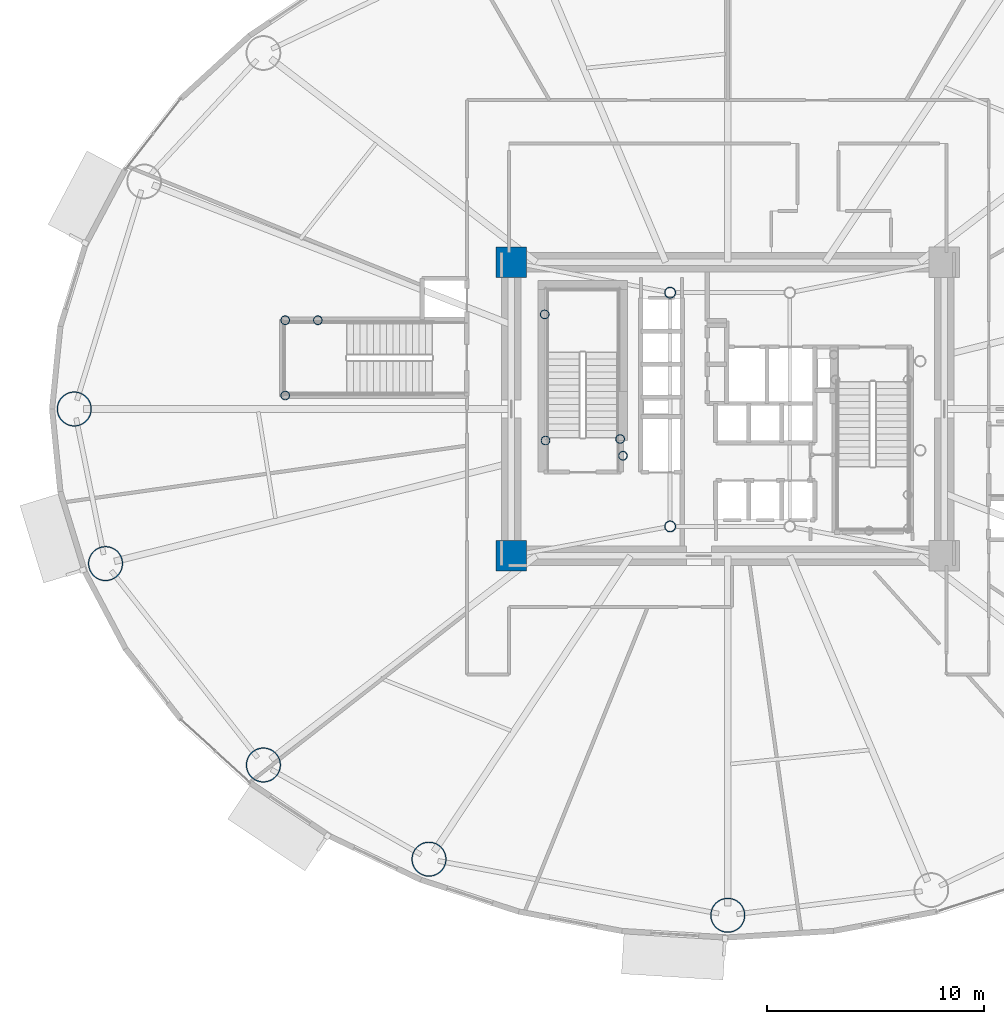
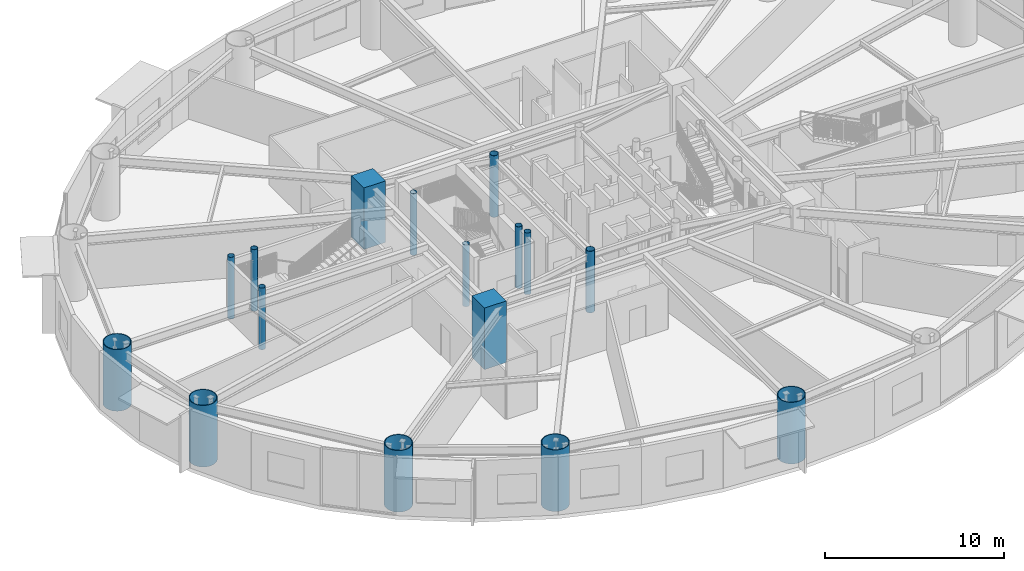
# One storey, part 1 of 29: 16 columns.
"""IFC4 building model written with IfcOpenShell, lengths in metres."""

import ifcopenshell
import ifcopenshell.guid

model = None  # the IFC model being written
_history = None  # IfcOwnerHistory: only IFC2X3 demands one
_inside = {}  # id of a spatial element -> (the spatial element, [elements in it])
_under = {}  # id of a project, library or spatial element -> (it, [spatial elements below it])
_declared = {}  # id of a project -> (the project, [libraries it declares])
_typed = {}  # id of a type object -> (the type object, [elements of that type])
_made_of = {}  # id of a material, layer set ... -> (it, [elements and type objects made of it])


def new_model(schema):
    """Start an empty IFC model of exactly this schema.

    Asked for "IFC4X3", IfcOpenShell would pick the latest addendum, in which some entities
    have other attributes; the version numbers below select the first issue.
    IFC2X3 requires an IfcOwnerHistory on every rooted entity: one is made here for all.
    """
    global model, _history
    if schema == "IFC4X3":
        model = ifcopenshell.file(schema_version=(4, 3, 0, 0))
    else:
        model = ifcopenshell.file(schema=schema)
    _inside.clear()
    _under.clear()
    _declared.clear()
    _typed.clear()
    _made_of.clear()
    _history = None
    if model.schema == "IFC2X3":
        org = make("IfcOrganization", Name="unknown")
        user = make(
            "IfcPersonAndOrganization",
            ThePerson=make("IfcPerson", FamilyName="unknown"),
            TheOrganization=org,
        )
        app = make(
            "IfcApplication",
            ApplicationDeveloper=org,
            Version="unknown",
            ApplicationFullName="unknown",
            ApplicationIdentifier="unknown",
        )
        _history = make(
            "IfcOwnerHistory",
            OwningUser=user,
            OwningApplication=app,
            ChangeAction="ADDED",
            CreationDate=0,
        )
    return model


def make(cls, **values):
    """One entity of the class cls with the attributes given. An attribute that is None is left unset."""
    return model.create_entity(
        cls, **{name: value for name, value in values.items() if value is not None}
    )


def rooted(cls, **values):
    """An entity with a GlobalId (a new one), such as an element, a storey or a relation."""
    return make(cls, GlobalId=ifcopenshell.guid.new(), OwnerHistory=_history, **values)


def si_unit(unit_type, name, prefix=None):
    """IfcSIUnit, for example si_unit("LENGTHUNIT", "METRE", prefix="MILLI")."""
    return make("IfcSIUnit", UnitType=unit_type, Prefix=prefix, Name=name)


def assignment(units):
    """IfcUnitAssignment: the units of a project."""
    return None if units is None else make("IfcUnitAssignment", Units=units)


def point(xyz):
    """IfcCartesianPoint."""
    return None if xyz is None else make("IfcCartesianPoint", Coordinates=xyz)


def direction(xyz):
    """IfcDirection."""
    return None if xyz is None else make("IfcDirection", DirectionRatios=xyz)


def frame(location, z_axis=None, x_axis=None):
    """IfcAxis2Placement3D, a coordinate frame: its origin and axes. An axis left out is left unset."""
    return make(
        "IfcAxis2Placement3D",
        Location=point(location),
        Axis=direction(z_axis),
        RefDirection=direction(x_axis),
    )


def frame_2d(location, x_axis=None):
    """IfcAxis2Placement2D, a coordinate frame in the plane: its origin and x axis."""
    return make(
        "IfcAxis2Placement2D", Location=point(location), RefDirection=direction(x_axis)
    )


def origin():
    """The frame at (0, 0, 0) with its axes left unset."""
    return frame((0.0, 0.0, 0.0))


def origin_2d():
    """The frame at (0, 0) in the plane with its x axis left unset."""
    return frame_2d((0.0, 0.0))


def place(relative_to, where):
    """IfcLocalPlacement: puts the frame where relative to a parent placement (None: the world)."""
    return make(
        "IfcLocalPlacement", PlacementRelTo=relative_to, RelativePlacement=where
    )


def context(
    kind, dimensions, precision=None, world=None, true_north=None, identifier=None
):
    """IfcGeometricRepresentationContext, for example the 3D "Model" context."""
    return make(
        "IfcGeometricRepresentationContext",
        ContextIdentifier=identifier,
        ContextType=kind,
        CoordinateSpaceDimension=dimensions,
        Precision=precision,
        WorldCoordinateSystem=world,
        TrueNorth=true_north,
    )


def subcontext(parent, identifier, kind, view, scale=None):
    """IfcGeometricRepresentationSubContext, for example "Body" below "Model"."""
    return make(
        "IfcGeometricRepresentationSubContext",
        ContextIdentifier=identifier,
        ContextType=kind,
        ParentContext=parent,
        TargetScale=scale,
        TargetView=view,
    )


def project(units=None, contexts=None):
    """IfcProject with its units and contexts."""
    return rooted(
        "IfcProject",
        Name="project",
        RepresentationContexts=contexts,
        UnitsInContext=assignment(units),
    )


def spatial(cls, under=None, at=None, **own):
    """A site, building, storey or space (cls), placed at a placement, below another one or the project."""
    s = rooted(cls, ObjectPlacement=at, **own)
    if under is not None:
        _under.setdefault(under.id(), (under, []))[1].append(s)
    return s


def profile(cls, at=None, kind="AREA", **sizes):
    """A parametric profile (cls). Its sizes go by their IFC names, for example OverallWidth=200.0."""
    return make(cls, ProfileType=kind, Position=at, **sizes)


def rectangle(**sizes):
    """IfcRectangleProfileDef."""
    return profile("IfcRectangleProfileDef", **sizes)


def hollow_circle(**sizes):
    """IfcCircleHollowProfileDef."""
    return profile("IfcCircleHollowProfileDef", **sizes)


def extrude(swept, where, along, depth):
    """IfcExtrudedAreaSolid: the profile swept, set in the frame where, extruded along a direction by depth."""
    return make(
        "IfcExtrudedAreaSolid",
        SweptArea=swept,
        Position=where,
        ExtrudedDirection=direction(along),
        Depth=depth,
    )


def shape(context_of_items, identifier, shape_type, items):
    """IfcShapeRepresentation: the items that make up one representation, for example the "Body"."""
    return make(
        "IfcShapeRepresentation",
        ContextOfItems=context_of_items,
        RepresentationIdentifier=identifier,
        RepresentationType=shape_type,
        Items=items,
    )


def material(Name=None, Category=None):
    """IfcMaterial."""
    return make("IfcMaterial", Name=Name, Category=Category)


def material_profile(
    of_material, cross_section, Name=None, Category=None, Priority=None
):
    """IfcMaterialProfile: a cross section and its material."""
    return make(
        "IfcMaterialProfile",
        Name=Name,
        Material=of_material,
        Profile=cross_section,
        Priority=Priority,
        Category=Category,
    )


def profile_set(profiles, Name=None, composite=None):
    """IfcMaterialProfileSet."""
    return make(
        "IfcMaterialProfileSet",
        Name=Name,
        MaterialProfiles=profiles,
        CompositeProfile=composite,
    )


def made_of(thing, what):
    """Note that an element or type object is made of a material, layer set ...; save() writes the relation."""
    if what is not None:
        _made_of.setdefault(what.id(), (what, []))[1].append(thing)
    return thing


def type_object(cls, material=None, **own):
    """A type object (cls), such as IfcWallType, which elements share."""
    return made_of(rooted(cls, **own), material)


def element(
    cls,
    number,
    at=None,
    inside=None,
    cuts=None,
    type_object=None,
    material=None,
    context=None,
    identifier="Body",
    shape_type=None,
    held_by="IfcProductDefinitionShape",
    body=None,
    shapes=None,
    **own,
):
    """One element of the class cls, such as IfcWall. Its Tag is "e" and its number.

    at: its placement. inside: the storey or other place that contains it. cuts: it is an
    opening in that element (IfcRelVoidsElement). A single representation is given by context,
    identifier, shape_type and body (its items); several are given by shapes. held_by: the class
    of the entity that holds the representations. save() writes the other relations.
    """
    e = rooted(cls, Tag="e%d" % number, ObjectPlacement=at, **own)
    if body is not None:
        shapes = [shape(context, identifier, shape_type, body)]
    if shapes is not None:
        e.Representation = make(held_by, Representations=shapes)
    if inside is not None:
        _inside.setdefault(inside.id(), (inside, []))[1].append(e)
    if cuts is not None:
        rooted(
            "IfcRelVoidsElement", RelatingBuildingElement=cuts, RelatedOpeningElement=e
        )
    if type_object is not None:
        _typed.setdefault(type_object.id(), (type_object, []))[1].append(e)
    return made_of(e, material)


def aggregate(whole, parts):
    """IfcRelAggregates: a whole, such as a stair, and the parts it consists of."""
    return rooted("IfcRelAggregates", RelatingObject=whole, RelatedObjects=parts)


def save(model, path):
    """Write the relations noted so far, then the file.

    IfcRelAggregates (storeys below a building ...), IfcRelContainedInSpatialStructure (elements
    in a storey), IfcRelDefinesByType, IfcRelAssociatesMaterial and IfcRelDeclares: one each for
    every whole, place, type object, material and project.
    """
    for whole, parts in _under.values():
        aggregate(whole, parts)
    for where, things in _inside.values():
        rooted(
            "IfcRelContainedInSpatialStructure",
            RelatedElements=things,
            RelatingStructure=where,
        )
    for kind, things in _typed.values():
        rooted("IfcRelDefinesByType", RelatedObjects=things, RelatingType=kind)
    for what, things in _made_of.values():
        rooted("IfcRelAssociatesMaterial", RelatedObjects=things, RelatingMaterial=what)
    for by, libraries in _declared.values():
        rooted("IfcRelDeclares", RelatingContext=by, RelatedDefinitions=libraries)
    model.write(path)


model = new_model("IFC4")

# Units and contexts
model_context = context("Model", 3, precision=1e-05, world=origin(), true_north=direction((0.0, 1.0)))
body_context = subcontext(model_context, "Body", "Model", "MODEL_VIEW")
ifc_project = project(units=[si_unit("LENGTHUNIT", "METRE"), si_unit("AREAUNIT", "SQUARE_METRE"), si_unit("VOLUMEUNIT", "CUBIC_METRE"), si_unit("PLANEANGLEUNIT", "RADIAN"), si_unit("MASSUNIT", "GRAM", prefix="KILO")], contexts=[model_context])

# Site, building, storey
site_placement = place(None, origin())
site = spatial("IfcSite", under=ifc_project, at=site_placement, CompositionType="ELEMENT")
building_placement = place(site_placement, origin())
building = spatial("IfcBuilding", under=site, at=building_placement, Name="Linh Dai School and Residence Tower", CompositionType="ELEMENT")
storey_placement = place(building_placement, frame((0.0, 0.0, 45.0)))
storey = spatial("IfcBuildingStorey", under=building, at=storey_placement, Name="L10", CompositionType="ELEMENT", Elevation=45.0)

# Columns
ifc_material_1 = material(Name="Concrete B60 (C50/60)", Category="concrete")
ifc_material_profile_1 = material_profile(ifc_material_1, rectangle(XDim=1.39990234375, YDim=1.39990234375, at=origin_2d()), Name="RC 1400x1400")
ifc_profile_set_1 = profile_set([ifc_material_profile_1], Name="Concrete B60 (C50/60)")
column_type_1 = type_object("IfcColumnType", Name="COL-CC1", PredefinedType="COLUMN", material=ifc_profile_set_1)
for number, where, z_axis, x_axis, name in (
    (1, (26.050048828125, 20.25, 0.0), (0.0, 0.0, 1.0), (1.0, 0.0, 0.0), "L10 Core Corner Pier CC1"),
    (2, (26.050048828125, 33.75, 0.0), (0.0, 0.0, 1.0), (1.0, 0.0, 0.0), "L10 Core Corner Pier CC4"),
):
    element("IfcColumn", number, at=place(storey_placement, frame(where, z_axis=z_axis, x_axis=x_axis)), inside=storey, type_object=column_type_1, Name=name, PredefinedType="COLUMN", context=body_context, shape_type="SweptSolid", body=[
        extrude(rectangle(XDim=1.39990234375, YDim=1.39990234375, at=origin_2d()), origin(), (0.0, 0.0, 1.0), 4.199951171875),
    ])
ifc_material_2 = material(Name="Structural Steel S355JR", Category="steel")
ifc_material_profile_2 = material_profile(ifc_material_2, hollow_circle(Radius=0.203125, WallThickness=0.01611328125, at=origin_2d()), Name="CHS 406.4x16")
ifc_profile_set_2 = profile_set([ifc_material_profile_2], Name="Structural Steel S355JR")
column_type_2 = type_object("IfcColumnType", Name="COL-EC", PredefinedType="COLUMN", material=ifc_profile_set_2)
for number, where, z_axis, x_axis, name in (
    (3, (27.580078125, 31.35009765625, 0.0), (0.0, 0.0, 1.0), (1.0, 0.0, 0.0), "L10 Stair Shaft Landing Support Pier ST1NW"),
    (4, (31.050048828125, 25.6201171875, 0.0), (0.0, 0.0, 1.0), (1.0, 0.0, 0.0), "L10 Stair Shaft Landing Support Pier ST1SE"),
    (5, (31.179931640625, 24.85009765625, 0.0), (0.0, 0.0, 1.0), (1.0, 0.0, 0.0), "L10 Stair Shaft Landing Support Pier ST1SM"),
    (6, (27.6201171875, 25.550048828125, 0.0), (0.0, 0.0, 1.0), (1.0, 0.0, 0.0), "L10 Stair Shaft Landing Support Pier ST1SW"),
    (7, (15.64990234375, 27.6201171875, 0.0), (0.0, 0.0, 1.0), (1.0, 0.0, 0.0), "L10 Stair Shaft Landing Support Pier STS1SW"),
    (8, (15.64990234375, 31.080078125, 0.0), (0.0, 0.0, 1.0), (1.0, 0.0, 0.0), "L10 Stair Shaft Landing Support Pier STS1NW"),
    (9, (17.14990234375, 31.080078125, 0.0), (0.0, 0.0, 1.0), (1.0, 0.0, 0.0), "L10 Stair Shaft Landing Support Pier STS1ME"),
):
    element("IfcColumn", number, at=place(storey_placement, frame(where, z_axis=z_axis, x_axis=x_axis)), inside=storey, type_object=column_type_2, Name=name, PredefinedType="COLUMN", context=body_context, shape_type="SweptSolid", body=[
        extrude(hollow_circle(Radius=0.203125, WallThickness=0.01611328125, at=origin_2d()), origin(), (0.0, 0.0, 1.0), 4.199951171875),
    ])
ifc_material_profile_3 = material_profile(ifc_material_2, hollow_circle(Radius=0.800048828125, WallThickness=0.044921875, at=origin_2d()), Name="CHS 1600x45")
ifc_profile_set_3 = profile_set([ifc_material_profile_3], Name="Structural Steel S355JR")
column_type_3 = type_object("IfcColumnType", Name="COL-MC2", PredefinedType="COLUMN", material=ifc_profile_set_3)
for number, where, z_axis, x_axis, name in (
    (10, (5.949951171875, 27.0, 0.0), (0.0, 0.0, 1.0), (1.0, 0.0, 0.0), "L10 Perimeter CFT Mega-Column MC09"),
    (11, (7.38916015625, 19.891357421875, 0.0), (0.0, 0.0, 1.0), (1.0, 0.0, 0.0), "L10 Perimeter CFT Mega-Column MC10"),
    (12, (14.647216796875, 10.630859375, 0.0), (0.0, 0.0, 1.0), (1.0, 0.0, 0.0), "L10 Perimeter CFT Mega-Column MC11"),
    (13, (22.26171875, 6.30078125, 0.0), (0.0, 0.0, 1.0), (1.0, 0.0, 0.0), "L10 Perimeter CFT Mega-Column MC12"),
    (14, (36.0, 3.719970703125, 0.0), (0.0, 0.0, 1.0), (1.0, 0.0, 0.0), "L10 Perimeter CFT Mega-Column MC13"),
):
    element("IfcColumn", number, at=place(storey_placement, frame(where, z_axis=z_axis, x_axis=x_axis)), inside=storey, type_object=column_type_3, Name=name, PredefinedType="COLUMN", context=body_context, shape_type="SweptSolid", body=[
        extrude(hollow_circle(Radius=0.800048828125, WallThickness=0.044921875, at=origin_2d()), origin(), (0.0, 0.0, 1.0), 4.199951171875),
    ])
ifc_material_profile_4 = material_profile(ifc_material_2, hollow_circle(Radius=0.25390625, WallThickness=0.02001953125, at=origin_2d()), Name="CHS 508x20")
ifc_profile_set_4 = profile_set([ifc_material_profile_4], Name="Structural Steel S355JR")
column_type_4 = type_object("IfcColumnType", Name="COL-MCP", PredefinedType="COLUMN", material=ifc_profile_set_4)
for number, where, z_axis, x_axis, name in (
    (15, (33.35009765625, 21.60009765625, 0.0), (0.0, 0.0, 1.0), (1.0, 0.0, 0.0), "L10 Core Mast Support Pier MCP1"),
    (16, (33.35009765625, 32.35009765625, 0.0), (0.0, 0.0, 1.0), (1.0, 0.0, 0.0), "L10 Core Mast Support Pier MCP4"),
):
    element("IfcColumn", number, at=place(storey_placement, frame(where, z_axis=z_axis, x_axis=x_axis)), inside=storey, type_object=column_type_4, Name=name, PredefinedType="COLUMN", context=body_context, shape_type="SweptSolid", body=[
        extrude(hollow_circle(Radius=0.25390625, WallThickness=0.02001953125, at=origin_2d()), origin(), (0.0, 0.0, 1.0), 4.199951171875),
    ])

save(model, "model.ifc")
